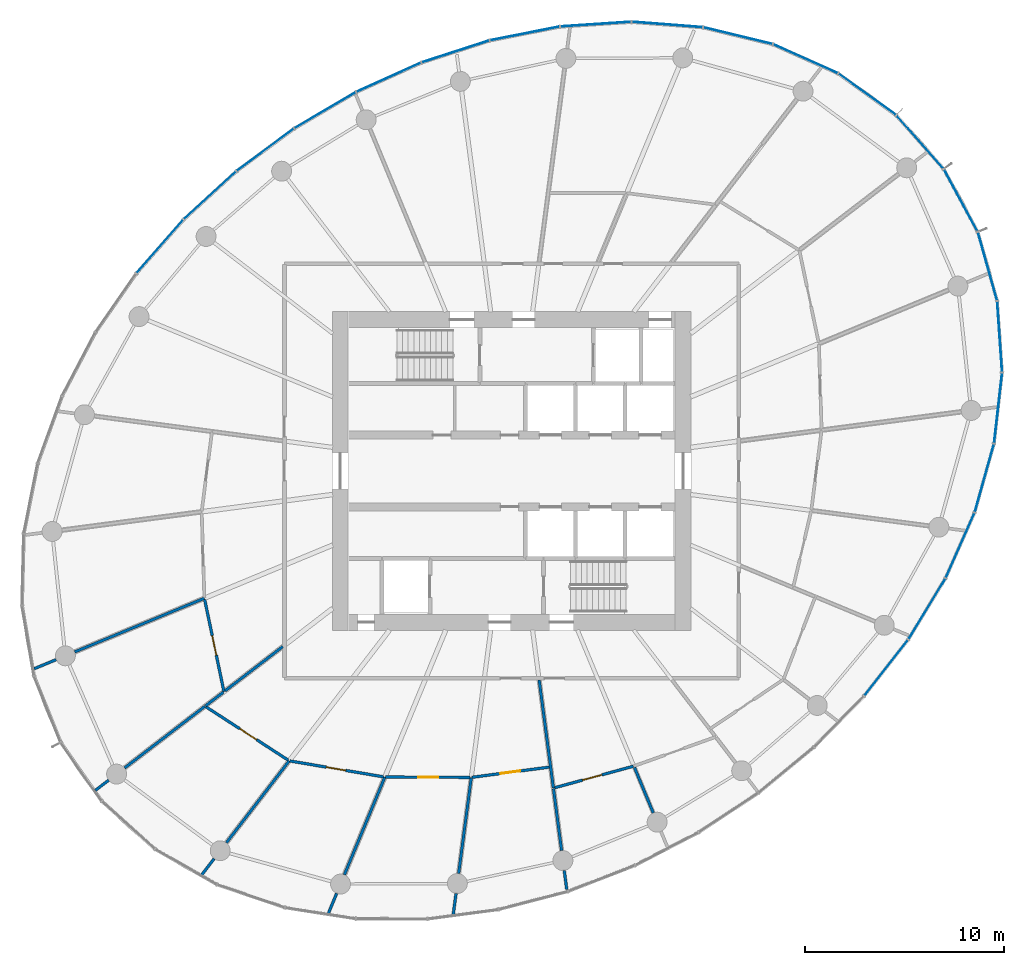
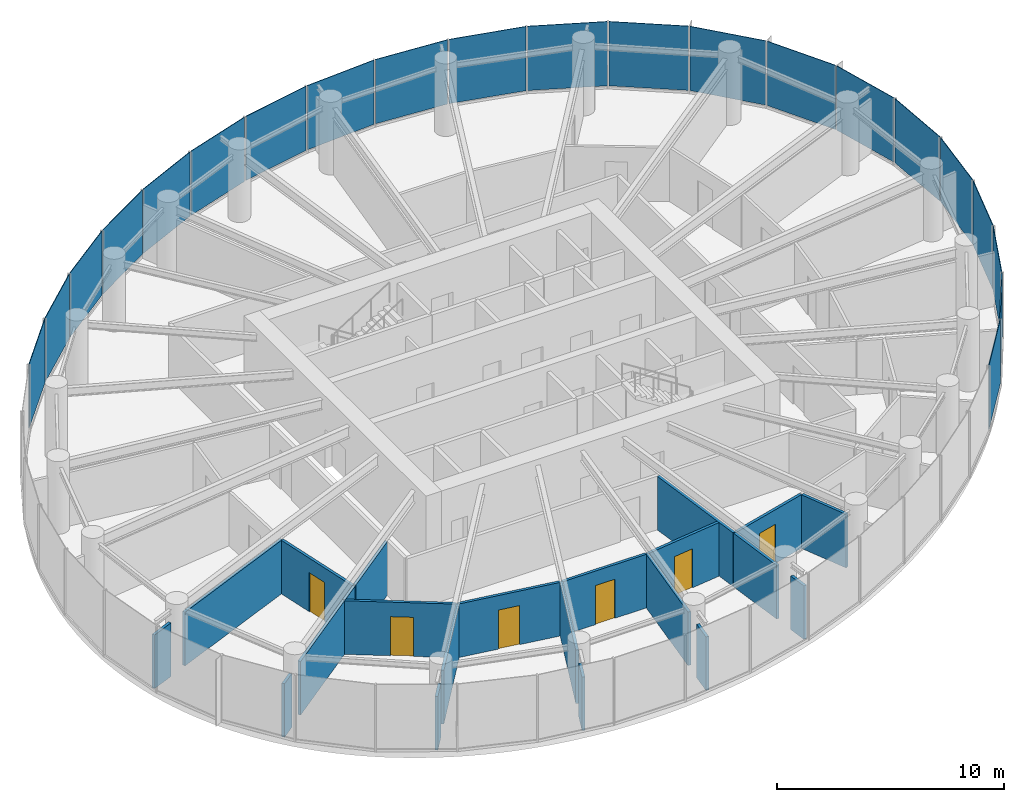
# One storey, part 8 of 14: 22 walls, 21 plates, 6 doors, 6 openings, 5 elements without a shape of their own.
"""IFC4 building model written with IfcOpenShell, lengths in metres."""

from ifc_helpers import new_model, si_unit, direction, frame, frame_2d, origin, origin_2d, place, context, subcontext, project, spatial, rectangle, extrude, source, transform, mapped, material, layer, layer_set, type_object, element, fill, aggregate, save


model = new_model("IFC4")

# Units and contexts
model_context = context("Model", 3, precision=1e-05, world=origin(), true_north=direction((0.0, 1.0)))
body_context = subcontext(model_context, "Body", "Model", "MODEL_VIEW")
ifc_project = project(units=[si_unit("LENGTHUNIT", "METRE"), si_unit("AREAUNIT", "SQUARE_METRE"), si_unit("VOLUMEUNIT", "CUBIC_METRE"), si_unit("PLANEANGLEUNIT", "RADIAN"), si_unit("MASSUNIT", "GRAM", prefix="KILO")], contexts=[model_context])

# Site, building, storey
site_placement = place(None, origin())
site = spatial("IfcSite", under=ifc_project, at=site_placement, CompositionType="ELEMENT")
building_placement = place(site_placement, origin())
building = spatial("IfcBuilding", under=site, at=building_placement, Name="Spindrift Exchange Tower", CompositionType="ELEMENT")
storey_placement = place(building_placement, frame((0.0, 0.0, 164.300048828125)))
storey = spatial("IfcBuildingStorey", under=building, at=storey_placement, Name="L39", CompositionType="ELEMENT", Elevation=164.300048828125)

# Curtain wall, plate
ifc_material_1 = material(Name="Fritted laminated glass with bronze frame", Category="glass")
ifc_layer_1 = layer(ifc_material_1, 0.179931640625)
ifc_layer_set_1 = layer_set([ifc_layer_1], Name="ZONE 3 BRONZE FRITTED WALL")
curtain_wall_type = type_object("IfcCurtainWallType", Name="ZONE 3 BRONZE FRITTED WALL", PredefinedType="NOTDEFINED", material=ifc_layer_set_1)
curtain_wall_1_placement = place(storey_placement, origin())
curtain_wall_1 = element("IfcCurtainWall", 1, at=curtain_wall_1_placement, inside=storey, type_object=curtain_wall_type, Name="L39 Zone 3 Bronze Fritted Wall run 2", PredefinedType="NOTDEFINED")
ifc_material_2 = material(Name="Bronze fritted laminated glass, open frit", Category="glass")
ifc_layer_2 = layer(ifc_material_2, 0.031982421875)
ifc_layer_set_2 = layer_set([ifc_layer_2], Name="ZONE 3 BRONZE FRITTED WALL PANEL OPEN FRIT 360")
plate_type_1 = type_object("IfcPlateType", Name="ZONE 3 BRONZE FRITTED WALL PANEL OPEN FRIT 360", PredefinedType="CURTAIN_PANEL", material=ifc_layer_set_2)
shared_shape_1 = source(origin(), body_context, "Body", "SweptSolid", [
    extrude(rectangle(XDim=3.530517578125, YDim=0.031982421875, at=origin_2d()), origin(), (0.0, 0.0, 1.0), 3.449951171875),
])
plate_1_placement = place(storey_placement, frame((49.18359375, 69.052001953125, 0.1298828125), z_axis=(0.0, 0.0, 1.0), x_axis=(-0.951348411051, -0.308117186783, 0.0)))
plate_1 = element("IfcPlate", 2, at=plate_1_placement, type_object=plate_type_1, Name="L39 panel CW-3.8", PredefinedType="CURTAIN_PANEL", context=body_context, shape_type="MappedRepresentation", body=[
    mapped(shared_shape_1, transform((0.0, 0.0, 0.0), scale=1.0)),
])

curtain_wall_2_placement = place(storey_placement, origin())
curtain_wall_2 = element("IfcCurtainWall", 3, at=curtain_wall_2_placement, inside=storey, type_object=curtain_wall_type, Name="L39 Zone 3 Bronze Fritted Wall run 3", PredefinedType="NOTDEFINED")
plate_2_placement = place(storey_placement, frame((34.345703125, 59.26513671875, 0.1298828125), z_axis=(0.0, 0.0, 1.0), x_axis=(-0.659661998894, -0.751562404073, 0.0)))
plate_2 = element("IfcPlate", 4, at=plate_2_placement, type_object=plate_type_1, Name="L39 panel CW-3.13", PredefinedType="CURTAIN_PANEL", context=body_context, shape_type="MappedRepresentation", body=[
    mapped(shared_shape_1, transform((0.0, 0.0, 0.0), scale=1.0)),
])
aggregate(curtain_wall_2, [plate_2])

# Plate
ifc_layer_3 = layer(ifc_material_2, 0.031982421875)
ifc_layer_set_3 = layer_set([ifc_layer_3], Name="ZONE 3 BRONZE FRITTED WALL PANEL OPEN FRIT 600")
plate_type_2 = type_object("IfcPlateType", Name="ZONE 3 BRONZE FRITTED WALL PANEL OPEN FRIT 600", PredefinedType="CURTAIN_PANEL", material=ifc_layer_set_3)
shared_shape_2 = source(origin(), body_context, "Body", "SweptSolid", [
    extrude(rectangle(XDim=3.531005859375, YDim=0.031982421875, at=origin_2d()), origin(), (0.0, 0.0, 1.0), 3.449951171875),
])
plate_3_placement = place(storey_placement, frame((36.86083984375, 61.834716796875, 0.1298828125), z_axis=(0.0, 0.0, 1.0), x_axis=(-0.737259649647, -0.67560950926, 0.0)))
plate_3 = element("IfcPlate", 5, at=plate_3_placement, type_object=plate_type_2, Name="L39 panel CW-3.12", PredefinedType="CURTAIN_PANEL", context=body_context, shape_type="MappedRepresentation", body=[
    mapped(shared_shape_2, transform((0.0, 0.0, 0.0), scale=1.0)),
])

shared_shape_3 = source(origin(), body_context, "Body", "SweptSolid", [
    extrude(rectangle(XDim=3.531005859375, YDim=0.031982421875, at=origin_2d()), origin(), (0.0, 0.0, 1.0), 3.449951171875),
])
plate_4_placement = place(storey_placement, frame((42.63720703125, 66.1025390625, 0.1298828125), z_axis=(0.0, 0.0, 1.0), x_axis=(-0.862212346793, -0.506547005754, 0.0)))
plate_4 = element("IfcPlate", 6, at=plate_4_placement, type_object=plate_type_1, Name="L39 panel CW-3.10", PredefinedType="CURTAIN_PANEL", context=body_context, shape_type="MappedRepresentation", body=[
    mapped(shared_shape_3, transform((0.0, 0.0, 0.0), scale=1.0)),
])

plate_5_placement = place(storey_placement, frame((39.636474609375, 64.120849609375, 0.1298828125), z_axis=(0.0, 0.0, 1.0), x_axis=(-0.804373561391, -0.594123870699, 0.0)))
plate_5 = element("IfcPlate", 7, at=plate_5_placement, type_object=plate_type_1, Name="L39 panel CW-3.11", PredefinedType="CURTAIN_PANEL", context=body_context, shape_type="MappedRepresentation", body=[
    mapped(shared_shape_3, transform((0.0, 0.0, 0.0), scale=1.0)),
])

# Curtain wall, plate
curtain_wall_3_placement = place(storey_placement, origin())
curtain_wall_3 = element("IfcCurtainWall", 8, at=curtain_wall_3_placement, inside=storey, type_object=curtain_wall_type, Name="L39 Zone 3 Bronze Fritted Wall run 6", PredefinedType="NOTDEFINED")
ifc_layer_4 = layer(ifc_material_2, 0.031982421875)
ifc_layer_set_4 = layer_set([ifc_layer_4], Name="ZONE 3 BRONZE FRITTED WALL PANEL OPEN FRIT 480")
plate_type_3 = type_object("IfcPlateType", Name="ZONE 3 BRONZE FRITTED WALL PANEL OPEN FRIT 480", PredefinedType="CURTAIN_PANEL", material=ifc_layer_set_4)
shared_shape_4 = source(origin(), body_context, "Body", "SweptSolid", [
    extrude(rectangle(XDim=3.530517578125, YDim=0.031982421875, at=origin_2d()), origin(), (0.0, 0.0, 1.0), 3.449951171875),
])
plate_6_placement = place(storey_placement, frame((70.80126953125, 38.119384765625, 0.1298828125), z_axis=(0.0, 0.0, 1.0), x_axis=(0.616340663488, 0.787479641979, 0.0)))
plate_6 = element("IfcPlate", 9, at=plate_6_placement, type_object=plate_type_3, Name="L39 panel CW-3.34", PredefinedType="CURTAIN_PANEL", context=body_context, shape_type="MappedRepresentation", body=[
    mapped(shared_shape_4, transform((0.0, 0.0, 0.0), scale=1.0)),
])

# Plate
shared_shape_5 = source(origin(), body_context, "Body", "SweptSolid", [
    extrude(rectangle(XDim=3.53076171875, YDim=0.031982421875, at=origin_2d()), origin(), (0.0, 0.0, 1.0), 3.449951171875),
])
plate_7_placement = place(storey_placement, frame((45.830078125, 67.755859375, 0.1298828125), z_axis=(0.0, 0.0, 1.0), x_axis=(-0.911289761952, -0.411765673365, 0.0)))
plate_7 = element("IfcPlate", 10, at=plate_7_placement, type_object=plate_type_3, Name="L39 panel CW-3.9", PredefinedType="CURTAIN_PANEL", context=body_context, shape_type="MappedRepresentation", body=[
    mapped(shared_shape_5, transform((0.0, 0.0, 0.0), scale=1.0)),
])

# Curtain wall, plate
curtain_wall_4_placement = place(storey_placement, origin())
curtain_wall_4 = element("IfcCurtainWall", 11, at=curtain_wall_4_placement, inside=storey, type_object=curtain_wall_type, Name="L39 Zone 3 Bronze Fritted Wall run 1", PredefinedType="NOTDEFINED")
shared_shape_6 = source(origin(), body_context, "Body", "SweptSolid", [
    extrude(rectangle(XDim=3.52978515625, YDim=0.031982421875, at=origin_2d()), origin(), (0.0, 0.0, 1.0), 3.449951171875),
])
plate_8_placement = place(storey_placement, frame((56.22412109375, 70.4228515625, 0.1298828125), z_axis=(0.0, 0.0, 1.0), x_axis=(-0.997810134977, -0.066143287926, 0.0)))
plate_8 = element("IfcPlate", 12, at=plate_8_placement, type_object=plate_type_1, Name="L39 panel CW-3.6", PredefinedType="CURTAIN_PANEL", context=body_context, shape_type="MappedRepresentation", body=[
    mapped(shared_shape_6, transform((0.0, 0.0, 0.0), scale=1.0)),
])

# Plate
plate_9_placement = place(storey_placement, frame((74.5087890625, 44.260009765625, 0.1298828125), z_axis=(0.0, 0.0, 1.0), x_axis=(0.405025099277, 0.914305566512, 0.0)))
plate_9 = element("IfcPlate", 13, at=plate_9_placement, type_object=plate_type_1, Name="L39 panel CW-3.36", PredefinedType="CURTAIN_PANEL", context=body_context, shape_type="MappedRepresentation", body=[
    mapped(shared_shape_6, transform((0.0, 0.0, 0.0), scale=1.0)),
])

shared_shape_7 = source(origin(), body_context, "Body", "SweptSolid", [
    extrude(rectangle(XDim=3.5302734375, YDim=0.031982421875, at=origin_2d()), origin(), (0.0, 0.0, 1.0), 3.449951171875),
])
plate_10_placement = place(storey_placement, frame((72.84521484375, 41.075927734375, 0.1298828125), z_axis=(0.0, 0.0, 1.0), x_axis=(0.519067171721, 0.854733450405, 0.0)))
plate_10 = element("IfcPlate", 14, at=plate_10_placement, type_object=plate_type_1, Name="L39 panel CW-3.35", PredefinedType="CURTAIN_PANEL", context=body_context, shape_type="MappedRepresentation", body=[
    mapped(shared_shape_7, transform((0.0, 0.0, 0.0), scale=1.0)),
])

aggregate(curtain_wall_3, [plate_6, plate_10, plate_9])

shared_shape_8 = source(origin(), body_context, "Body", "SweptSolid", [
    extrude(rectangle(XDim=3.5302734375, YDim=0.031982421875, at=origin_2d()), origin(), (0.0, 0.0, 1.0), 3.449951171875),
])
plate_11_placement = place(storey_placement, frame((52.662353515625, 69.955078125, 0.1298828125), z_axis=(0.0, 0.0, 1.0), x_axis=(-0.981069905623, -0.193653918838, 0.0)))
plate_11 = element("IfcPlate", 15, at=plate_11_placement, type_object=plate_type_3, Name="L39 panel CW-3.7", PredefinedType="CURTAIN_PANEL", context=body_context, shape_type="MappedRepresentation", body=[
    mapped(shared_shape_8, transform((0.0, 0.0, 0.0), scale=1.0)),
])

aggregate(curtain_wall_1, [plate_11, plate_1, plate_7, plate_4, plate_5, plate_3])

shared_shape_9 = source(origin(), body_context, "Body", "SweptSolid", [
    extrude(rectangle(XDim=3.528076171875, YDim=0.031982421875, at=origin_2d()), origin(), (0.0, 0.0, 1.0), 3.449951171875),
])
plate_12_placement = place(storey_placement, frame((63.357421875, 69.842529296875, 0.1298828125), z_axis=(0.0, 0.0, 1.0), x_axis=(-0.971892011529, 0.235427096841, 0.0)))
plate_12 = element("IfcPlate", 16, at=plate_12_placement, type_object=plate_type_2, Name="L39 panel CW-3.4", PredefinedType="CURTAIN_PANEL", context=body_context, shape_type="MappedRepresentation", body=[
    mapped(shared_shape_9, transform((0.0, 0.0, 0.0), scale=1.0)),
])

# Curtain wall, plates
curtain_wall_5_placement = place(storey_placement, origin())
curtain_wall_5 = element("IfcCurtainWall", 17, at=curtain_wall_5_placement, inside=storey, type_object=curtain_wall_type, Name="L39 Zone 3 Bronze Fritted Wall run 7", PredefinedType="NOTDEFINED")
plate_13_placement = place(storey_placement, frame((76.415283203125, 51.158203125, 0.1298828125), z_axis=(0.0, 0.0, 1.0), x_axis=(0.112974308243, 0.993597909457, 0.0)))
plate_13 = element("IfcPlate", 18, at=plate_13_placement, type_object=plate_type_2, Name="L39 panel CW-3.38", PredefinedType="CURTAIN_PANEL", context=body_context, shape_type="MappedRepresentation", body=[
    mapped(shared_shape_9, transform((0.0, 0.0, 0.0), scale=1.0)),
])
shared_shape_10 = source(origin(), body_context, "Body", "SweptSolid", [
    extrude(rectangle(XDim=3.525634765625, YDim=0.031982421875, at=origin_2d()), origin(), (0.0, 0.0, 1.0), 3.449951171875),
])
plate_14_placement = place(storey_placement, frame((75.884521484375, 58.264892578125, 0.1298828125), z_axis=(0.0, 0.0, 1.0), x_axis=(-0.270136675516, 0.962821985905, 0.0)))
plate_14 = element("IfcPlate", 19, at=plate_14_placement, type_object=plate_type_3, Name="L39 panel CW-3.40", PredefinedType="CURTAIN_PANEL", context=body_context, shape_type="MappedRepresentation", body=[
    mapped(shared_shape_10, transform((0.0, 0.0, 0.0), scale=1.0)),
])

# Plate
shared_shape_11 = source(origin(), body_context, "Body", "SweptSolid", [
    extrude(rectangle(XDim=3.52490234375, YDim=0.031982421875, at=origin_2d()), origin(), (0.0, 0.0, 1.0), 3.449951171875),
])
plate_15_placement = place(storey_placement, frame((72.49853515625, 64.50439453125, 0.1298828125), z_axis=(0.0, 0.0, 1.0), x_axis=(-0.662686711481, 0.748896736824, 0.0)))
plate_15 = element("IfcPlate", 20, at=plate_15_placement, type_object=plate_type_1, Name="L39 panel CW-3.1", PredefinedType="CURTAIN_PANEL", context=body_context, shape_type="MappedRepresentation", body=[
    mapped(shared_shape_11, transform((0.0, 0.0, 0.0), scale=1.0)),
])

shared_shape_12 = source(origin(), body_context, "Body", "SweptSolid", [
    extrude(rectangle(XDim=3.525634765625, YDim=0.031982421875, at=origin_2d()), origin(), (0.0, 0.0, 1.0), 3.449951171875),
])
plate_16_placement = place(storey_placement, frame((69.848876953125, 66.9013671875, 0.1298828125), z_axis=(0.0, 0.0, 1.0), x_axis=(-0.811321018356, 0.584600893921, 0.0)))
plate_16 = element("IfcPlate", 21, at=plate_16_placement, type_object=plate_type_2, Name="L39 panel CW-3.2", PredefinedType="CURTAIN_PANEL", context=body_context, shape_type="MappedRepresentation", body=[
    mapped(shared_shape_12, transform((0.0, 0.0, 0.0), scale=1.0)),
])

shared_shape_13 = source(origin(), body_context, "Body", "SweptSolid", [
    extrude(rectangle(XDim=3.52490234375, YDim=0.031982421875, at=origin_2d()), origin(), (0.0, 0.0, 1.0), 3.449951171875),
])
plate_17_placement = place(storey_placement, frame((74.544189453125, 61.5771484375, 0.1298828125), z_axis=(0.0, 0.0, 1.0), x_axis=(-0.475493705344, 0.879719123458, 0.0)))
plate_17 = element("IfcPlate", 22, at=plate_17_placement, type_object=plate_type_2, Name="L39 panel CW-3.41", PredefinedType="CURTAIN_PANEL", context=body_context, shape_type="MappedRepresentation", body=[
    mapped(shared_shape_13, transform((0.0, 0.0, 0.0), scale=1.0)),
])

shared_shape_14 = source(origin(), body_context, "Body", "SweptSolid", [
    extrude(rectangle(XDim=3.527099609375, YDim=0.031982421875, at=origin_2d()), origin(), (0.0, 0.0, 1.0), 3.449951171875),
])
plate_18_placement = place(storey_placement, frame((66.748046875, 68.685791015625, 0.1298828125), z_axis=(0.0, 0.0, 1.0), x_axis=(-0.913101944988, 0.407731330731, 0.0)))
plate_18 = element("IfcPlate", 23, at=plate_18_placement, type_object=plate_type_3, Name="L39 panel CW-3.3", PredefinedType="CURTAIN_PANEL", context=body_context, shape_type="MappedRepresentation", body=[
    mapped(shared_shape_14, transform((0.0, 0.0, 0.0), scale=1.0)),
])

shared_shape_15 = source(origin(), body_context, "Body", "SweptSolid", [
    extrude(rectangle(XDim=3.529296875, YDim=0.031982421875, at=origin_2d()), origin(), (0.0, 0.0, 1.0), 3.449951171875),
])
plate_19_placement = place(storey_placement, frame((59.814453125, 70.404052734375, 0.1298828125), z_axis=(0.0, 0.0, 1.0), x_axis=(-0.997059710919, 0.076628538174, 0.0)))
plate_19 = element("IfcPlate", 24, at=plate_19_placement, type_object=plate_type_1, Name="L39 panel CW-3.5", PredefinedType="CURTAIN_PANEL", context=body_context, shape_type="MappedRepresentation", body=[
    mapped(shared_shape_15, transform((0.0, 0.0, 0.0), scale=1.0)),
])

aggregate(curtain_wall_4, [plate_15, plate_16, plate_18, plate_12, plate_19, plate_8])

shared_shape_16 = source(origin(), body_context, "Body", "SweptSolid", [
    extrude(rectangle(XDim=3.529052734375, YDim=0.031982421875, at=origin_2d()), origin(), (0.0, 0.0, 1.0), 3.449951171875),
])
plate_20_placement = place(storey_placement, frame((75.724853515625, 47.63818359375, 0.1298828125), z_axis=(0.0, 0.0, 1.0), x_axis=(0.270733180314, 0.962654426613, 0.0)))
plate_20 = element("IfcPlate", 25, at=plate_20_placement, type_object=plate_type_2, Name="L39 panel CW-3.37", PredefinedType="CURTAIN_PANEL", context=body_context, shape_type="MappedRepresentation", body=[
    mapped(shared_shape_16, transform((0.0, 0.0, 0.0), scale=1.0)),
])

shared_shape_17 = source(origin(), body_context, "Body", "SweptSolid", [
    extrude(rectangle(XDim=3.527099609375, YDim=0.031982421875, at=origin_2d()), origin(), (0.0, 0.0, 1.0), 3.449951171875),
])
plate_21_placement = place(storey_placement, frame((76.494384765625, 54.73974609375, 0.1298828125), z_axis=(0.0, 0.0, 1.0), x_axis=(-0.069058284552, 0.997612626892, 0.0)))
plate_21 = element("IfcPlate", 26, at=plate_21_placement, type_object=plate_type_2, Name="L39 panel CW-3.39", PredefinedType="CURTAIN_PANEL", context=body_context, shape_type="MappedRepresentation", body=[
    mapped(shared_shape_17, transform((0.0, 0.0, 0.0), scale=1.0)),
])

aggregate(curtain_wall_5, [plate_20, plate_13, plate_21, plate_14, plate_17])

# Walls
ifc_material_3 = material(Name="Fire-rated plasterboard partition", Category="gypsum")
ifc_layer_5 = layer(ifc_material_3, 0.139892578125)
ifc_layer_set_5 = layer_set([ifc_layer_5], Name="W-PART-140")
wall_type = type_object("IfcWallType", Name="W-PART-140", PredefinedType="PARTITIONING", material=ifc_layer_set_5)
wall_1_placement = place(storey_placement, frame((36.580078125, 41.61279296875, 0.0), z_axis=(0.0, 0.0, 1.0), x_axis=(-0.923884663142, -0.382671045691, 0.0)))
element("IfcWall", 27, at=wall_1_placement, inside=storey, type_object=wall_type, Name="L39 Partition wall 35", PredefinedType="PARTITIONING", context=body_context, shape_type="SweptSolid", body=[
    extrude(rectangle(XDim=7.046630859375, YDim=0.139892578125, at=frame_2d((3.5234375, 0.0))), origin(), (0.0, 0.0, 1.0), 2.8798828125),
])
wall_2_placement = place(storey_placement, frame((53.381103515625, 37.510009765625, 0.0), z_axis=(0.0, 0.0, 1.0), x_axis=(0.130500676988, -0.991448220184, 0.0)))
element("IfcWall", 28, at=wall_2_placement, inside=storey, type_object=wall_type, Name="L39 Partition wall 41", PredefinedType="PARTITIONING", context=body_context, shape_type="SweptSolid", body=[
    extrude(rectangle(XDim=5.47216796875, YDim=0.139892578125, at=frame_2d((2.736083984375, 0.0))), origin(), (0.0, 0.0, 1.0), 2.8798828125),
])
wall_3_placement = place(storey_placement, frame((45.636962890625, 32.63818359375, 0.0), z_axis=(0.0, 0.0, 1.0), x_axis=(-0.382690400947, -0.923876645999, 0.0)))
element("IfcWall", 29, at=wall_3_placement, inside=storey, type_object=wall_type, Name="L39 Partition wall 42", PredefinedType="PARTITIONING", context=body_context, shape_type="SweptSolid", body=[
    extrude(rectangle(XDim=5.306640625, YDim=0.139892578125, at=frame_2d((2.6533203125, 0.0))), origin(), (0.0, 0.0, 1.0), 2.8798828125),
])
wall_4_placement = place(storey_placement, frame((40.83740234375, 33.45263671875, 0.0), z_axis=(0.0, 0.0, 1.0), x_axis=(-0.608781556018, -0.793337895888, 0.0)))
element("IfcWall", 30, at=wall_4_placement, inside=storey, type_object=wall_type, Name="L39 Partition wall 43", PredefinedType="PARTITIONING", context=body_context, shape_type="SweptSolid", body=[
    extrude(rectangle(XDim=5.182861328125, YDim=0.139892578125, at=frame_2d((2.59130859375, 0.0))), origin(), (0.0, 0.0, 1.0), 2.8798828125),
])
wall_5_placement = place(storey_placement, frame((36.61376953125, 36.193603515625, 0.0), z_axis=(0.0, 0.0, 1.0), x_axis=(-0.793380951851, -0.608725443234, 0.0)))
element("IfcWall", 31, at=wall_5_placement, inside=storey, type_object=wall_type, Name="L39 Partition wall 44", PredefinedType="PARTITIONING", context=body_context, shape_type="SweptSolid", body=[
    extrude(rectangle(XDim=5.091552734375, YDim=0.139892578125, at=frame_2d((2.5458984375, 0.0))), origin(), (0.0, 0.0, 1.0), 2.8798828125),
])

# Wall, opening, door
wall_6_placement = place(storey_placement, frame((40.778564453125, 33.490966796875, 0.0), z_axis=(0.0, 0.0, 1.0), x_axis=(-0.83885932545, 0.544348263619, 0.0)))
wall_6 = element("IfcWall", 32, at=wall_6_placement, inside=storey, type_object=wall_type, Name="L39 Partition wall 45", PredefinedType="PARTITIONING", context=body_context, shape_type="SweptSolid", body=[
    extrude(rectangle(XDim=4.934814453125, YDim=0.139892578125, at=frame_2d((2.46728515625, 0.0))), origin(), (0.0, 0.0, 1.0), 2.8798828125),
])
opening_1_placement = place(wall_6_placement, frame((1.885009765625, 0.0, 0.0)))
opening_1 = element("IfcOpeningElement", 33, at=opening_1_placement, cuts=wall_6, Name="Opening L39-D29", PredefinedType="OPENING", context=body_context, shape_type="SweptSolid", body=[
    extrude(rectangle(XDim=1.0, YDim=2.10009765625, at=frame_2d((0.5, 1.050048828125))), frame((0.0, 0.079833984375, 0.0), z_axis=(0.0, -1.0, 0.0), x_axis=(1.0, 0.0, 0.0)), (0.0, 0.0, 1.0), 0.159912109375),
])
ifc_material_4 = material(Name="Timber-core fire door", Category="wood")
door_type = type_object("IfcDoorType", Name="DR-ROOM-1000", OperationType="NOTDEFINED", PredefinedType="DOOR", material=ifc_material_4)
shared_shape_18 = source(origin(), body_context, "Body", "SweptSolid", [
    extrude(rectangle(XDim=1.0, YDim=2.10009765625, at=frame_2d((0.5, 1.050048828125))), frame((0.0, 0.02490234375, 0.0), z_axis=(0.0, -1.0, 0.0), x_axis=(1.0, 0.0, 0.0)), (0.0, 0.0, 1.0), 0.050048828125),
])
door_1_placement = place(opening_1_placement, origin())
door_1 = element("IfcDoor", 34, at=door_1_placement, inside=storey, type_object=door_type, Name="L39 Door 29", OperationType="SINGLE_SWING_RIGHT", OverallHeight=2.10009765625, OverallWidth=1.0, PredefinedType="DOOR", context=body_context, shape_type="MappedRepresentation", body=[
    mapped(shared_shape_18, transform((0.0, 0.0, 0.0), scale=1.0)),
])
fill(opening_1, door_1)

wall_7_placement = place(storey_placement, frame((45.566162109375, 32.650146484375, 0.0), z_axis=(0.0, 0.0, 1.0), x_axis=(-0.985899482127, 0.167338612225, 0.0)))
wall_7 = element("IfcWall", 35, at=wall_7_placement, inside=storey, type_object=wall_type, Name="L39 Partition wall 46", PredefinedType="PARTITIONING", context=body_context, shape_type="SweptSolid", body=[
    extrude(rectangle(XDim=4.766357421875, YDim=0.139892578125, at=frame_2d((2.38330078125, 0.0))), origin(), (0.0, 0.0, 1.0), 2.8798828125),
])
opening_2_placement = place(wall_7_placement, frame((1.916259765625, 0.0, 0.0)))
opening_2 = element("IfcOpeningElement", 36, at=opening_2_placement, cuts=wall_7, Name="Opening L39-D30", PredefinedType="OPENING", context=body_context, shape_type="SweptSolid", body=[
    extrude(rectangle(XDim=1.0, YDim=2.10009765625, at=frame_2d((0.5, 1.050048828125))), frame((0.0, 0.079833984375, 0.0), z_axis=(0.0, -1.0, 0.0), x_axis=(1.0, 0.0, 0.0)), (0.0, 0.0, 1.0), 0.159912109375),
])
door_2_placement = place(opening_2_placement, origin())
door_2 = element("IfcDoor", 37, at=door_2_placement, inside=storey, type_object=door_type, Name="L39 Door 30", OperationType="SINGLE_SWING_LEFT", OverallHeight=2.10009765625, OverallWidth=1.0, PredefinedType="DOOR", context=body_context, shape_type="MappedRepresentation", body=[
    mapped(shared_shape_18, transform((0.0, 0.0, 0.0), scale=1.0)),
])
fill(opening_2, door_2)

# Wall
wall_8_placement = place(storey_placement, frame((49.975341796875, 32.62109375, 0.0), z_axis=(0.0, 0.0, 1.0), x_axis=(-0.130550517866, -0.991441658538, 0.0)))
element("IfcWall", 38, at=wall_8_placement, inside=storey, type_object=wall_type, Name="L39 Partition wall 47", PredefinedType="PARTITIONING", context=body_context, shape_type="SweptSolid", body=[
    extrude(rectangle(XDim=4.867919921875, YDim=0.139892578125, at=frame_2d((2.43408203125, 0.0))), origin(), (0.0, 0.0, 1.0), 2.8798828125),
])

# Wall, opening, door
wall_9_placement = place(storey_placement, frame((37.562744140625, 36.921875, 0.0), z_axis=(0.0, 0.0, 1.0), x_axis=(-0.205017521869, 0.978758303018, 0.0)))
wall_9 = element("IfcWall", 39, at=wall_9_placement, inside=storey, type_object=wall_type, Name="L39 Partition wall 48", PredefinedType="PARTITIONING", context=body_context, shape_type="SweptSolid", body=[
    extrude(rectangle(XDim=4.7216796875, YDim=0.139892578125, at=frame_2d((2.36083984375, 0.0))), origin(), (0.0, 0.0, 1.0), 2.8798828125),
])
opening_3_placement = place(wall_9_placement, frame((1.87158203125, 0.0, 0.0)))
opening_3 = element("IfcOpeningElement", 40, at=opening_3_placement, cuts=wall_9, Name="Opening L39-D27", PredefinedType="OPENING", context=body_context, shape_type="SweptSolid", body=[
    extrude(rectangle(XDim=1.0, YDim=2.10009765625, at=frame_2d((0.5, 1.050048828125))), frame((0.0, 0.079833984375, 0.0), z_axis=(0.0, -1.0, 0.0), x_axis=(1.0, 0.0, 0.0)), (0.0, 0.0, 1.0), 0.159912109375),
])
door_3_placement = place(opening_3_placement, origin())
door_3 = element("IfcDoor", 41, at=door_3_placement, inside=storey, type_object=door_type, Name="L39 Door 27", OperationType="SINGLE_SWING_RIGHT", OverallHeight=2.10009765625, OverallWidth=1.0, PredefinedType="DOOR", context=body_context, shape_type="MappedRepresentation", body=[
    mapped(shared_shape_18, transform((0.0, 0.0, 0.0), scale=1.0)),
])
fill(opening_3, door_3)

wall_10_placement = place(storey_placement, frame((49.90478515625, 32.621337890625, 0.0), z_axis=(0.0, 0.0, 1.0), x_axis=(-0.999992326677, 0.003917471956, 0.0)))
wall_10 = element("IfcWall", 42, at=wall_10_placement, inside=storey, type_object=wall_type, Name="L39 Partition wall 59", PredefinedType="PARTITIONING", context=body_context, shape_type="SweptSolid", body=[
    extrude(rectangle(XDim=4.23779296875, YDim=0.139892578125, at=frame_2d((2.118896484375, 0.0))), origin(), (0.0, 0.0, 1.0), 2.8798828125),
])
opening_4_placement = place(wall_10_placement, frame((1.587890625, 0.0, 0.0)))
opening_4 = element("IfcOpeningElement", 43, at=opening_4_placement, cuts=wall_10, Name="Opening L39-D31", PredefinedType="OPENING", context=body_context, shape_type="SweptSolid", body=[
    extrude(rectangle(XDim=1.0, YDim=2.10009765625, at=frame_2d((0.5, 1.050048828125))), frame((0.0, 0.079833984375, 0.0), z_axis=(0.0, -1.0, 0.0), x_axis=(1.0, 0.0, 0.0)), (0.0, 0.0, 1.0), 0.159912109375),
])
door_4_placement = place(opening_4_placement, origin())
door_4 = element("IfcDoor", 44, at=door_4_placement, inside=storey, type_object=door_type, Name="L39 Door 31", OperationType="SINGLE_SWING_RIGHT", OverallHeight=2.10009765625, OverallWidth=1.0, PredefinedType="DOOR", context=body_context, shape_type="MappedRepresentation", body=[
    mapped(shared_shape_18, transform((0.0, 0.0, 0.0), scale=1.0)),
])
fill(opening_4, door_4)

# Wall
wall_11_placement = place(storey_placement, frame((54.09912109375, 32.054931640625, 0.0), z_axis=(0.0, 0.0, 1.0), x_axis=(0.130525064179, -0.991445009883, 0.0)))
element("IfcWall", 45, at=wall_11_placement, inside=storey, type_object=wall_type, Name="L39 Partition wall 60", PredefinedType="PARTITIONING", context=body_context, shape_type="SweptSolid", body=[
    extrude(rectangle(XDim=3.133056640625, YDim=0.139892578125, at=frame_2d((1.56640625, 0.0))), origin(), (0.0, 0.0, 1.0), 2.8798828125),
])

# Wall, opening, door
wall_12_placement = place(storey_placement, frame((58.106201171875, 33.180419921875, 0.0), z_axis=(0.0, 0.0, 1.0), x_axis=(-0.96465070337, -0.263531820636, 0.0)))
wall_12 = element("IfcWall", 46, at=wall_12_placement, inside=storey, type_object=wall_type, Name="L39 Partition wall 62", PredefinedType="PARTITIONING", context=body_context, shape_type="SweptSolid", body=[
    extrude(rectangle(XDim=4.08740234375, YDim=0.139892578125, at=frame_2d((2.043701171875, 0.0))), origin(), (0.0, 0.0, 1.0), 2.8798828125),
])
opening_5_placement = place(wall_12_placement, frame((1.63720703125, 0.0, 0.0)))
opening_5 = element("IfcOpeningElement", 47, at=opening_5_placement, cuts=wall_12, Name="Opening L39-D34", PredefinedType="OPENING", context=body_context, shape_type="SweptSolid", body=[
    extrude(rectangle(XDim=1.0, YDim=2.10009765625, at=frame_2d((0.5, 1.050048828125))), frame((0.0, 0.079833984375, 0.0), z_axis=(0.0, -1.0, 0.0), x_axis=(1.0, 0.0, 0.0)), (0.0, 0.0, 1.0), 0.159912109375),
])
door_5_placement = place(opening_5_placement, origin())
door_5 = element("IfcDoor", 48, at=door_5_placement, inside=storey, type_object=door_type, Name="L39 Door 34", OperationType="SINGLE_SWING_LEFT", OverallHeight=2.10009765625, OverallWidth=1.0, PredefinedType="DOOR", context=body_context, shape_type="MappedRepresentation", body=[
    mapped(shared_shape_18, transform((0.0, 0.0, 0.0), scale=1.0)),
])
fill(opening_5, door_5)

wall_13_placement = place(storey_placement, frame((53.88623046875, 33.13623046875, 0.0), z_axis=(0.0, 0.0, 1.0), x_axis=(-0.991436881293, -0.130586792642, 0.0)))
wall_13 = element("IfcWall", 49, at=wall_13_placement, inside=storey, type_object=wall_type, Name="L39 Partition wall 66", PredefinedType="PARTITIONING", context=body_context, shape_type="SweptSolid", body=[
    extrude(rectangle(XDim=3.914794921875, YDim=0.139892578125, at=frame_2d((1.95751953125, 0.0))), origin(), (0.0, 0.0, 1.0), 2.8798828125),
])
opening_6_placement = place(wall_13_placement, frame((1.464599609375, 0.0, 0.0)))
opening_6 = element("IfcOpeningElement", 50, at=opening_6_placement, cuts=wall_13, Name="Opening L39-D32", PredefinedType="OPENING", context=body_context, shape_type="SweptSolid", body=[
    extrude(rectangle(XDim=1.0, YDim=2.10009765625, at=frame_2d((0.5, 1.050048828125))), frame((0.0, 0.079833984375, 0.0), z_axis=(0.0, -1.0, 0.0), x_axis=(1.0, 0.0, 0.0)), (0.0, 0.0, 1.0), 0.159912109375),
])
door_6_placement = place(opening_6_placement, origin())
door_6 = element("IfcDoor", 51, at=door_6_placement, inside=storey, type_object=door_type, Name="L39 Door 32", OperationType="SINGLE_SWING_LEFT", OverallHeight=2.10009765625, OverallWidth=1.0, PredefinedType="DOOR", context=body_context, shape_type="MappedRepresentation", body=[
    mapped(shared_shape_18, transform((0.0, 0.0, 0.0), scale=1.0)),
])
fill(opening_6, door_6)

# Walls
wall_14_placement = place(storey_placement, frame((40.510009765625, 39.183349609375, 0.0), z_axis=(0.0, 0.0, 1.0), x_axis=(-0.793354561545, -0.608759837436, 0.0)))
element("IfcWall", 52, at=wall_14_placement, inside=storey, type_object=wall_type, Name="L39 Partition wall 70", PredefinedType="PARTITIONING", context=body_context, shape_type="SweptSolid", body=[
    extrude(rectangle(XDim=3.63720703125, YDim=0.139892578125, at=frame_2d((1.818603515625, 0.0))), origin(), (0.0, 0.0, 1.0), 2.8798828125),
])
wall_15_placement = place(storey_placement, frame((58.162109375, 33.12353515625, 0.0), z_axis=(0.0, 0.0, 1.0), x_axis=(0.382692135528, -0.923875927495, 0.0)))
element("IfcWall", 53, at=wall_15_placement, inside=storey, type_object=wall_type, Name="L39 Partition wall 73", PredefinedType="PARTITIONING", context=body_context, shape_type="SweptSolid", body=[
    extrude(rectangle(XDim=2.470703125, YDim=0.139892578125, at=frame_2d((1.2353515625, 0.0))), origin(), (0.0, 0.0, 1.0), 2.8798828125),
])
wall_16_placement = place(storey_placement, frame((37.5390625, 36.90380859375, 0.0), z_axis=(0.0, 0.0, 1.0), x_axis=(-0.793326215903, -0.608796776569, 0.0)))
element("IfcWall", 54, at=wall_16_placement, inside=storey, type_object=wall_type, Name="L39 Partition wall 77", PredefinedType="PARTITIONING", context=body_context, shape_type="SweptSolid", body=[
    extrude(rectangle(XDim=1.136474609375, YDim=0.139892578125, at=frame_2d((0.568359375, 0.0))), origin(), (0.0, 0.0, 1.0), 2.8798828125),
])
wall_17_placement = place(storey_placement, frame((29.13671875, 38.52978515625, 0.0), z_axis=(0.0, 0.0, 1.0), x_axis=(-0.923876703835, -0.382690261322, 0.0)))
element("IfcWall", 55, at=wall_17_placement, inside=storey, type_object=wall_type, Name="L39 Partition wall 78", PredefinedType="PARTITIONING", context=body_context, shape_type="SweptSolid", body=[
    extrude(rectangle(XDim=1.189208984375, YDim=0.139892578125, at=frame_2d((0.5947265625, 0.0))), origin(), (0.0, 0.0, 1.0), 2.8798828125),
])
wall_18_placement = place(storey_placement, frame((43.2197265625, 26.802490234375, 0.0), z_axis=(0.0, 0.0, 1.0), x_axis=(-0.382724096228, -0.923862687939, 0.0)))
element("IfcWall", 56, at=wall_18_placement, inside=storey, type_object=wall_type, Name="L39 Partition wall 80", PredefinedType="PARTITIONING", context=body_context, shape_type="SweptSolid", body=[
    extrude(rectangle(XDim=1.100341796875, YDim=0.139892578125, at=frame_2d((0.55029296875, 0.0))), origin(), (0.0, 0.0, 1.0), 2.8798828125),
])
wall_19_placement = place(storey_placement, frame((49.208251953125, 26.794677734375, 0.0), z_axis=(0.0, 0.0, 1.0), x_axis=(-0.130561919254, -0.991440157166, 0.0)))
element("IfcWall", 57, at=wall_19_placement, inside=storey, type_object=wall_type, Name="L39 Partition wall 82", PredefinedType="PARTITIONING", context=body_context, shape_type="SweptSolid", body=[
    extrude(rectangle(XDim=1.058349609375, YDim=0.139892578125, at=frame_2d((0.529296875, 0.0))), origin(), (0.0, 0.0, 1.0), 2.8798828125),
])
wall_20_placement = place(storey_placement, frame((37.068115234375, 28.540283203125, 0.0), z_axis=(0.0, 0.0, 1.0), x_axis=(-0.608710939512, -0.793392079692, 0.0)))
element("IfcWall", 58, at=wall_20_placement, inside=storey, type_object=wall_type, Name="L39 Partition wall 83", PredefinedType="PARTITIONING", context=body_context, shape_type="SweptSolid", body=[
    extrude(rectangle(XDim=1.027099609375, YDim=0.139892578125, at=frame_2d((0.513671875, 0.0))), origin(), (0.0, 0.0, 1.0), 2.8798828125),
])
wall_21_placement = place(storey_placement, frame((54.639892578125, 27.948486328125, 0.0), z_axis=(0.0, 0.0, 1.0), x_axis=(0.130303682633, -0.991474129916, 0.0)))
element("IfcWall", 59, at=wall_21_placement, inside=storey, type_object=wall_type, Name="L39 Partition wall 85", PredefinedType="PARTITIONING", context=body_context, shape_type="SweptSolid", body=[
    extrude(rectangle(XDim=0.963134765625, YDim=0.139892578125, at=frame_2d((0.4814453125, 0.0))), origin(), (0.0, 0.0, 1.0), 2.8798828125),
])
wall_22_placement = place(storey_placement, frame((31.77392578125, 32.47998046875, 0.0), z_axis=(0.0, 0.0, 1.0), x_axis=(-0.793240633291, -0.608908283484, 0.0)))
element("IfcWall", 60, at=wall_22_placement, inside=storey, type_object=wall_type, Name="L39 Partition wall 88", PredefinedType="PARTITIONING", context=body_context, shape_type="SweptSolid", body=[
    extrude(rectangle(XDim=0.83837890625, YDim=0.139892578125, at=frame_2d((0.419189453125, 0.0))), origin(), (0.0, 0.0, 1.0), 2.8798828125),
])

save(model, "model.ifc")
